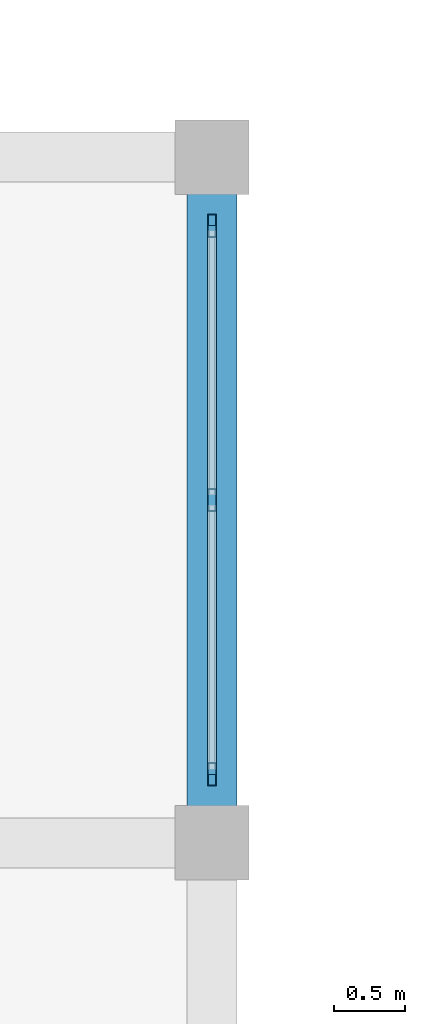
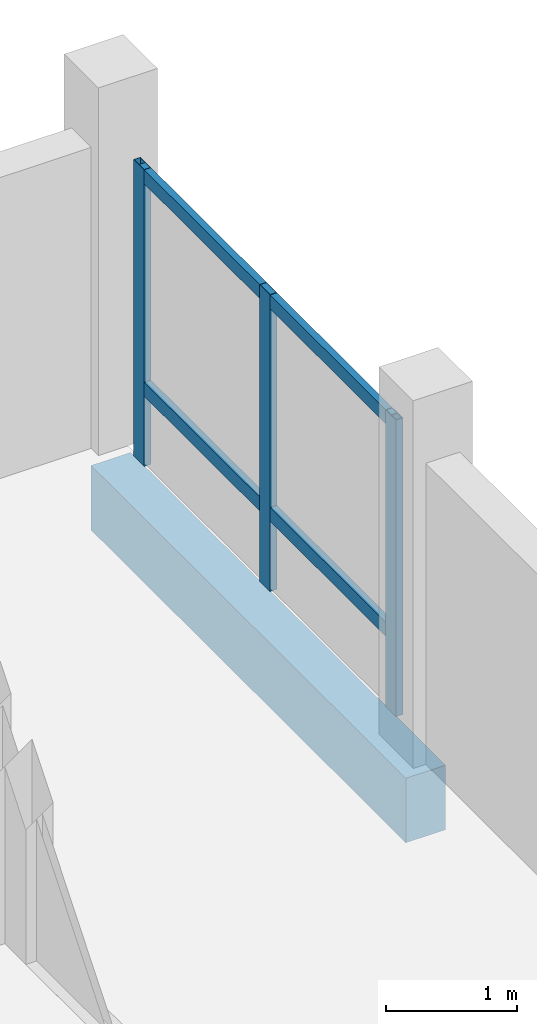
# One storey, part 14 of 26: 5 members, 1 beam, 1 element without a shape of its own.
"""IFC4 building model written with IfcOpenShell, lengths in metres."""

from ifc_helpers import new_model, si_unit, direction, frame, origin, origin_2d, place, context, subcontext, project, spatial, rectangle, hollow_rectangle, extrude, material, material_profile, profile_set, type_object, element, aggregate, save


model = new_model("IFC4")

# Units and contexts
model_context = context("Model", 3, precision=1e-05, world=origin(), true_north=direction((0.0, 1.0)))
body_context = subcontext(model_context, "Body", "Model", "MODEL_VIEW")
ifc_project = project(units=[si_unit("LENGTHUNIT", "METRE"), si_unit("AREAUNIT", "SQUARE_METRE"), si_unit("VOLUMEUNIT", "CUBIC_METRE"), si_unit("PLANEANGLEUNIT", "RADIAN"), si_unit("MASSUNIT", "GRAM", prefix="KILO")], contexts=[model_context])

# Site, building, storey
site_placement = place(None, origin())
site = spatial("IfcSite", under=ifc_project, at=site_placement, CompositionType="ELEMENT")
building_placement = place(site_placement, origin())
building = spatial("IfcBuilding", under=site, at=building_placement, Name="Zornivar Specialist Clinic", CompositionType="ELEMENT")
storey_placement = place(building_placement, frame((0.0, 0.0, 19.699951171875)))
storey = spatial("IfcBuildingStorey", under=building, at=storey_placement, Name="L05", CompositionType="ELEMENT", Elevation=19.699951171875)

# Beam
ifc_material_1 = material(Name="Concrete C30/37", Category="concrete")
ifc_material_profile_1 = material_profile(ifc_material_1, rectangle(XDim=0.35009765625, YDim=0.60009765625, at=origin_2d()), Name="RC 350x600")
ifc_profile_set_1 = profile_set([ifc_material_profile_1], Name="Concrete C30/37")
beam_type = type_object("IfcBeamType", Name="BM-RC-350x600", PredefinedType="BEAM", material=ifc_profile_set_1)
beam_placement = place(storey_placement, frame((14.39990234375, 43.199951171875, -0.579833984375), z_axis=(0.0, 1.0, 0.0), x_axis=(-1.0, 0.0, 0.0)))
element("IfcBeam", 1, at=beam_placement, inside=storey, type_object=beam_type, Name="bm:V2:L05:y:144:6", PredefinedType="BEAM", context=body_context, shape_type="SweptSolid", body=[
    extrude(rectangle(XDim=0.35009765625, YDim=0.60009765625, at=origin_2d()), origin(), (0.0, 0.0, 1.0), 4.800048828125),
])

# Curtain wall, members
ifc_material_2 = material(Name="Aluminium and Low-E Glass Curtain Wall", Category="aluminium")
curtain_wall_type = type_object("IfcCurtainWallType", Name="CW-REVAK-COURT", PredefinedType="NOTDEFINED", material=ifc_material_2)
curtain_wall_placement = place(storey_placement, origin())
curtain_wall = element("IfcCurtainWall", 2, at=curtain_wall_placement, inside=storey, type_object=curtain_wall_type, Name="cw:V2:L05:14", PredefinedType="NOTDEFINED")
ifc_material_3 = material(Name="Aluminium AW-6060", Category="aluminium")
ifc_material_profile_2 = material_profile(ifc_material_3, hollow_rectangle(XDim=0.06005859375, YDim=0.159912109375, WallThickness=0.00390625, at=origin_2d()), Name="ALU 60x160x4")
ifc_profile_set_2 = profile_set([ifc_material_profile_2], Name="Aluminium AW-6060")
member_type_1 = type_object("IfcMemberType", Name="CWM-MUL-160", PredefinedType="MULLION", material=ifc_profile_set_2)
member_1_placement = place(storey_placement, frame((14.39990234375, 43.679931640625, 0.0), z_axis=(0.0, 0.0, 1.0), x_axis=(1.0, 0.0, 0.0)))
member_1 = element("IfcMember", 3, at=member_1_placement, type_object=member_type_1, Name="cw:V2:L05:14:mul:0", PredefinedType="MULLION", context=body_context, shape_type="SweptSolid", body=[
    extrude(hollow_rectangle(XDim=0.06005859375, YDim=0.159912109375, WallThickness=0.00390625, at=origin_2d()), origin(), (0.0, 0.0, 1.0), 2.760009765625),
])
member_2_placement = place(storey_placement, frame((14.39990234375, 45.60009765625, 0.0), z_axis=(0.0, 0.0, 1.0), x_axis=(1.0, 0.0, 0.0)))
member_2 = element("IfcMember", 4, at=member_2_placement, type_object=member_type_1, Name="cw:V2:L05:14:mul:1", PredefinedType="MULLION", context=body_context, shape_type="SweptSolid", body=[
    extrude(hollow_rectangle(XDim=0.06005859375, YDim=0.159912109375, WallThickness=0.00390625, at=origin_2d()), origin(), (0.0, 0.0, 1.0), 2.760009765625),
])
member_3_placement = place(storey_placement, frame((14.39990234375, 47.52001953125, 0.0), z_axis=(0.0, 0.0, 1.0), x_axis=(1.0, 0.0, 0.0)))
member_3 = element("IfcMember", 5, at=member_3_placement, type_object=member_type_1, Name="cw:V2:L05:14:mul:2", PredefinedType="MULLION", context=body_context, shape_type="SweptSolid", body=[
    extrude(hollow_rectangle(XDim=0.06005859375, YDim=0.159912109375, WallThickness=0.00390625, at=origin_2d()), origin(), (0.0, 0.0, 1.0), 2.760009765625),
])
ifc_material_4 = material(Name="Aluminium AW-6060", Category="aluminium")
ifc_material_profile_3 = material_profile(ifc_material_4, hollow_rectangle(XDim=0.06005859375, YDim=0.1298828125, WallThickness=0.00390625, at=origin_2d()), Name="ALU 60x130x4")
ifc_profile_set_3 = profile_set([ifc_material_profile_3], Name="Aluminium AW-6060")
member_type_2 = type_object("IfcMemberType", Name="CWM-TRN-130", PredefinedType="USERDEFINED", material=ifc_profile_set_3)
member_4_placement = place(storey_placement, frame((14.39990234375, 43.679931640625, 0.718017578125), z_axis=(0.0, 1.0, 0.0), x_axis=(-1.0, 0.0, 0.0)))
member_4 = element("IfcMember", 6, at=member_4_placement, type_object=member_type_2, Name="cw:V2:L05:14:trn:0", ObjectType="TRANSOM", PredefinedType="USERDEFINED", context=body_context, shape_type="SweptSolid", body=[
    extrude(hollow_rectangle(XDim=0.06005859375, YDim=0.1298828125, WallThickness=0.00390625, at=origin_2d()), origin(), (0.0, 0.0, 1.0), 3.840087890625),
])
member_5_placement = place(storey_placement, frame((14.39990234375, 43.679931640625, 2.695068359375), z_axis=(0.0, 1.0, 0.0), x_axis=(-1.0, 0.0, 0.0)))
member_5 = element("IfcMember", 7, at=member_5_placement, type_object=member_type_2, Name="cw:V2:L05:14:trn:1", ObjectType="TRANSOM", PredefinedType="USERDEFINED", context=body_context, shape_type="SweptSolid", body=[
    extrude(hollow_rectangle(XDim=0.06005859375, YDim=0.1298828125, WallThickness=0.00390625, at=origin_2d()), origin(), (0.0, 0.0, 1.0), 3.840087890625),
])
aggregate(curtain_wall, [member_1, member_2, member_3, member_4, member_5])

save(model, "model.ifc")
